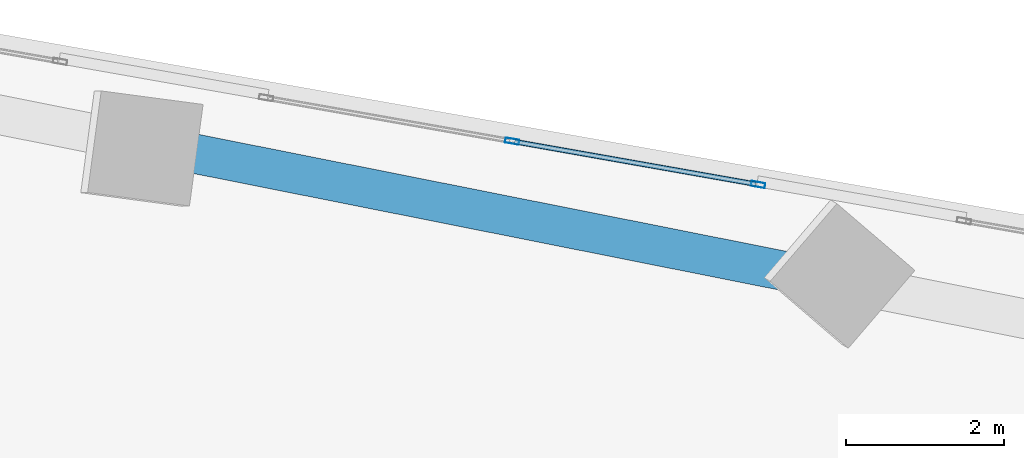
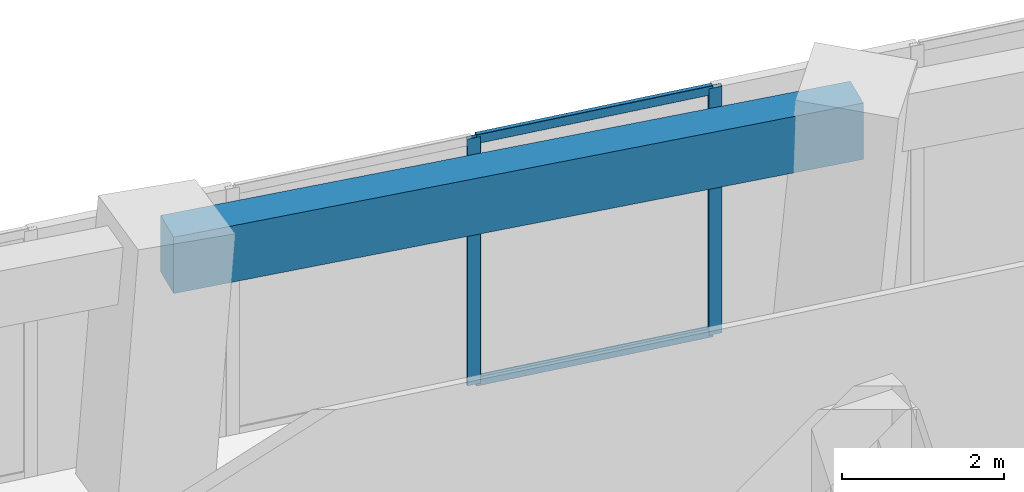
# One storey, part 16 of 24: 4 members, 1 beam, 1 element without a shape of its own.
"""IFC4 building model written with IfcOpenShell, lengths in metres."""

from ifc_helpers import new_model, si_unit, direction, frame, origin, origin_2d, place, context, subcontext, project, spatial, rectangle, hollow_rectangle, extrude, source, transform, mapped, material, material_profile, profile_set, type_object, element, aggregate, save


model = new_model("IFC4")

# Units and contexts
model_context = context("Model", 3, precision=1e-05, world=origin(), true_north=direction((0.0, 1.0)))
body_context = subcontext(model_context, "Body", "Model", "MODEL_VIEW")
ifc_project = project(units=[si_unit("LENGTHUNIT", "METRE"), si_unit("AREAUNIT", "SQUARE_METRE"), si_unit("VOLUMEUNIT", "CUBIC_METRE"), si_unit("PLANEANGLEUNIT", "RADIAN"), si_unit("MASSUNIT", "GRAM", prefix="KILO")], contexts=[model_context])

# Site, building, storey
site_placement = place(None, origin())
site = spatial("IfcSite", under=ifc_project, at=site_placement, CompositionType="ELEMENT")
building_placement = place(site_placement, origin())
building = spatial("IfcBuilding", under=site, at=building_placement, Name="Torre Montelarca", CompositionType="ELEMENT")
storey_placement = place(building_placement, frame((0.0, 0.0, 79.0)))
storey = spatial("IfcBuildingStorey", under=building, at=storey_placement, Name="L17", CompositionType="ELEMENT", Elevation=79.0)

# Beam
ifc_material_1 = material(Name="Concrete C55/67", Category="concrete")
ifc_material_profile_1 = material_profile(ifc_material_1, rectangle(XDim=0.5, YDim=0.85009765625, at=origin_2d()), Name="RCB500X850", Category="concrete")
ifc_profile_set_1 = profile_set([ifc_material_profile_1], Name="Concrete C55/67")
beam_type = type_object("IfcBeamType", Name="BM-SP-RC850-EXT", PredefinedType="SPANDREL", material=ifc_profile_set_1)
shared_shape_1 = source(origin(), body_context, "Body", "SweptSolid", [
    extrude(rectangle(XDim=0.5, YDim=0.85009765625, at=origin_2d()), origin(), (0.0, 0.0, 1.0), 8.999755859375),
])
beam_placement = place(storey_placement, frame((21.02294921875, 47.541748046875, 3.534912109375), z_axis=(0.98078360196, -0.195098759931, 0.0), x_axis=(0.195098759931, 0.98078360196, 0.0)))
element("IfcBeam", 1, at=beam_placement, inside=storey, type_object=beam_type, Name="L17 Grid Girder X 18.0-27.0 at Y=47.1", PredefinedType="SPANDREL", context=body_context, shape_type="MappedRepresentation", body=[
    mapped(shared_shape_1, transform((0.0, 0.0, 0.0), scale=1.0)),
])

# Curtain wall, members
ifc_material_2 = material(Name="Insulated low-E laminated glass", Category="glass")
curtain_wall_type = type_object("IfcCurtainWallType", Name="CW-SYS-Z1", PredefinedType="USERDEFINED", material=ifc_material_2)
curtain_wall_placement = place(storey_placement, origin())
curtain_wall = element("IfcCurtainWall", 2, at=curtain_wall_placement, inside=storey, type_object=curtain_wall_type, Name="L17 Curtain Wall Run CW-T3-L17-E08-B3", ObjectType="UNITISED GLAZING", PredefinedType="USERDEFINED")
ifc_material_3 = material(Name="Anodised aluminium AA 6063-T6", Category="aluminium")
ifc_material_profile_2 = material_profile(ifc_material_3, hollow_rectangle(XDim=0.06494140625, YDim=0.139892578125, WallThickness=0.00390625, InnerFilletRadius=0.00390625, OuterFilletRadius=0.008056640625, at=origin_2d()), Name="ALU65X140X4", Category="aluminium")
ifc_profile_set_2 = profile_set([ifc_material_profile_2], Name="Anodised aluminium AA 6063-T6")
member_type_1 = type_object("IfcMemberType", Name="CWT-ALU140", PredefinedType="USERDEFINED", material=ifc_profile_set_2)
shared_shape_2 = source(origin(), body_context, "Body", "SweptSolid", [
    extrude(hollow_rectangle(XDim=0.06494140625, YDim=0.139892578125, WallThickness=0.00390625, InnerFilletRadius=0.00390625, OuterFilletRadius=0.008056640625, at=origin_2d()), origin(), (0.0, 0.0, 1.0), 3.106689453125),
])
member_1_placement = place(storey_placement, frame((28.530029296875, 47.078369140625, 0.032470703125), z_axis=(-0.984804120666, 0.173668776466, 0.0), x_axis=(-0.173668776466, -0.984804120666, 0.0)))
member_1 = element("IfcMember", 3, at=member_1_placement, type_object=member_type_1, Name="CW transom 1.1", ObjectType="TRANSOM", PredefinedType="USERDEFINED", context=body_context, shape_type="MappedRepresentation", body=[
    mapped(shared_shape_2, transform((0.0, 0.0, 0.0), scale=1.0)),
])
member_2_placement = place(storey_placement, frame((28.530029296875, 47.078369140625, 3.6875), z_axis=(-0.984804120666, 0.173668776466, 0.0), x_axis=(-0.173668776466, -0.984804120666, 0.0)))
member_2 = element("IfcMember", 4, at=member_2_placement, type_object=member_type_1, Name="CW transom 1.2", ObjectType="TRANSOM", PredefinedType="USERDEFINED", context=body_context, shape_type="MappedRepresentation", body=[
    mapped(shared_shape_2, transform((0.0, 0.0, 0.0), scale=1.0)),
])
ifc_material_profile_3 = material_profile(ifc_material_3, hollow_rectangle(XDim=0.06494140625, YDim=0.179931640625, WallThickness=0.00390625, InnerFilletRadius=0.00390625, OuterFilletRadius=0.008056640625, at=origin_2d()), Name="ALU65X180X4", Category="aluminium")
ifc_profile_set_3 = profile_set([ifc_material_profile_3], Name="Anodised aluminium AA 6063-T6")
member_type_2 = type_object("IfcMemberType", Name="CWM-ALU180", PredefinedType="MULLION", material=ifc_profile_set_3)
shared_shape_3 = source(origin(), body_context, "Body", "SweptSolid", [
    extrude(hollow_rectangle(XDim=0.06494140625, YDim=0.179931640625, WallThickness=0.00390625, InnerFilletRadius=0.00390625, OuterFilletRadius=0.008056640625, at=origin_2d()), origin(), (0.0, 0.0, 1.0), 3.719970703125),
])
member_3_placement = place(storey_placement, frame((28.56201171875, 47.07275390625, 0.0), z_axis=(0.0, 0.0, 1.0), x_axis=(-0.173658038596, -0.984806014213, 0.0)))
member_3 = element("IfcMember", 5, at=member_3_placement, type_object=member_type_2, Name="CW mullion 1", PredefinedType="MULLION", context=body_context, shape_type="MappedRepresentation", body=[
    mapped(shared_shape_3, transform((0.0, 0.0, 0.0), scale=1.0)),
])
member_4_placement = place(storey_placement, frame((25.4384765625, 47.62353515625, 0.0), z_axis=(0.0, 0.0, 1.0), x_axis=(-0.173658038596, -0.984806014213, 0.0)))
member_4 = element("IfcMember", 6, at=member_4_placement, type_object=member_type_2, Name="CW mullion 2", PredefinedType="MULLION", context=body_context, shape_type="MappedRepresentation", body=[
    mapped(shared_shape_3, transform((0.0, 0.0, 0.0), scale=1.0)),
])
aggregate(curtain_wall, [member_3, member_4, member_1, member_2])

save(model, "model.ifc")
